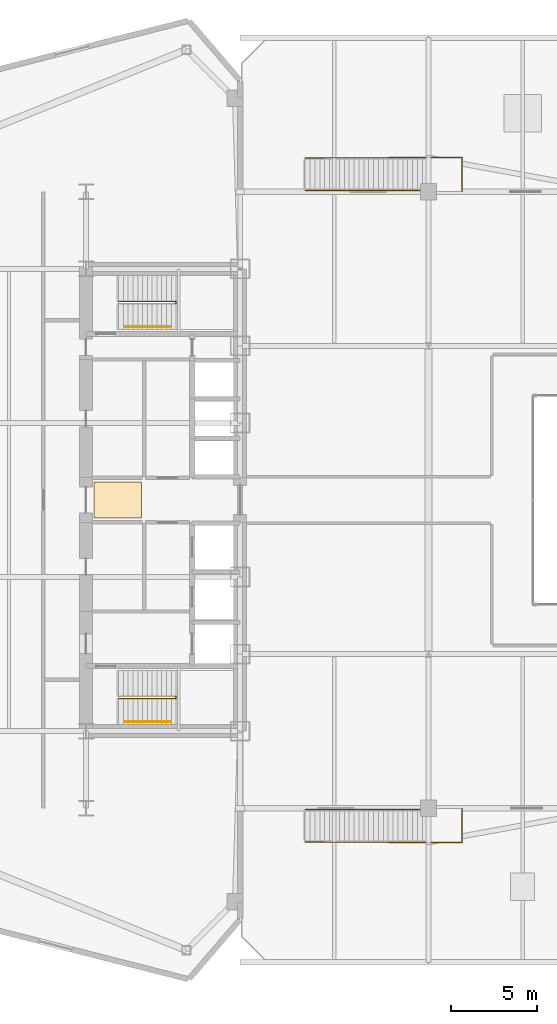
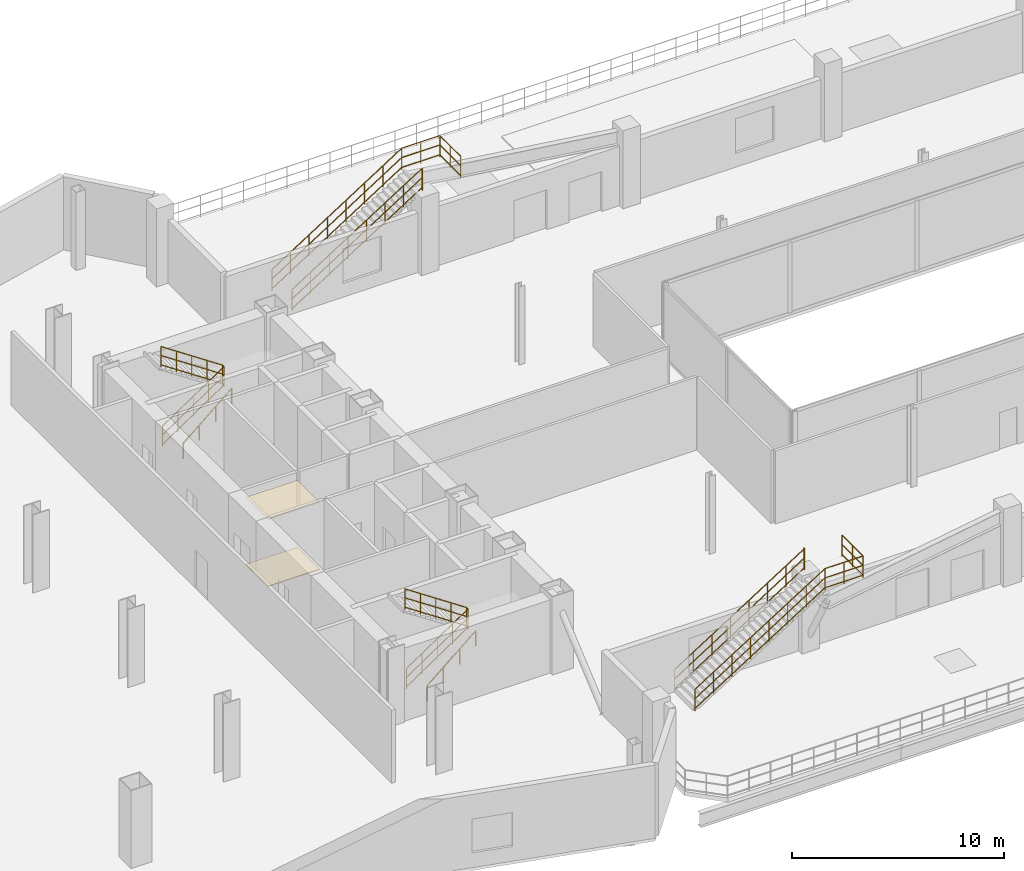
# One storey, part 24 of 27: 8 railings, 2 coverings.
"""IFC4 building model written with IfcOpenShell, lengths in metres."""

from ifc_helpers import new_model, si_unit, direction, frame, origin, origin_2d, place, context, subcontext, project, spatial, polyline, circle, outline, extrude, material, layer, layer_set, type_object, element, save


model = new_model("IFC4")

# Units and contexts
model_context = context("Model", 3, precision=1e-05, world=origin(), true_north=direction((0.0, 1.0)))
body_context = subcontext(model_context, "Body", "Model", "MODEL_VIEW")
ifc_project = project(units=[si_unit("LENGTHUNIT", "METRE"), si_unit("AREAUNIT", "SQUARE_METRE"), si_unit("VOLUMEUNIT", "CUBIC_METRE"), si_unit("PLANEANGLEUNIT", "RADIAN"), si_unit("MASSUNIT", "GRAM", prefix="KILO")], contexts=[model_context])

# Site, building, storey
site_placement = place(None, origin())
site = spatial("IfcSite", under=ifc_project, at=site_placement, CompositionType="ELEMENT")
building_placement = place(site_placement, origin())
building = spatial("IfcBuilding", under=site, at=building_placement, Name="Seokmaru Belvedere", CompositionType="ELEMENT")
storey_placement = place(building_placement, frame((0.0, 0.0, 9.89990234375)))
storey = spatial("IfcBuildingStorey", under=building, at=storey_placement, Name="L02", CompositionType="ELEMENT", Elevation=9.89990234375)

# Coverings
ifc_material_1 = material(Name="Honed Incheon Granite Stone", Category="masonry")
ifc_layer_1 = layer(ifc_material_1, 0.030029296875)
ifc_layer_set_1 = layer_set([ifc_layer_1], Name="Honed Incheon Granite Stone")
covering_type_1 = type_object("IfcCoveringType", Name="Honed Granite Lobby Floor Finish 30", PredefinedType="FLOORING", material=ifc_layer_set_1)
covering_1_placement = place(storey_placement, origin())
element("IfcCovering", 1, at=covering_1_placement, inside=storey, type_object=covering_type_1, Name="L02 W Foyer Floor Finish", PredefinedType="FLOORING", context=body_context, shape_type="SweptSolid", body=[
    extrude(outline(polyline([(-36.050048828125, -1.050048828125), (-33.25, -1.050048828125), (-33.25, 1.050048828125), (-36.050048828125, 1.050048828125), (-36.050048828125, -1.050048828125)])), origin(), (0.0, 0.0, 1.0), 0.030029296875),
])
ifc_material_2 = material(Name="Fire-Rated Gypsum Shaftwall")
ifc_layer_2 = layer(ifc_material_2, 0.02490234375)
ifc_layer_set_2 = layer_set([ifc_layer_2], Name="Fire-Rated Gypsum Shaftwall")
covering_type_2 = type_object("IfcCoveringType", Name="Perforated Acoustic Gypsum Suspended Ceiling 25", PredefinedType="CEILING", material=ifc_layer_set_2)
covering_2_placement = place(storey_placement, frame((0.0, 0.0, 3.8701171875)))
element("IfcCovering", 2, at=covering_2_placement, inside=storey, type_object=covering_type_2, Name="L02 W Lift Foyer Acoustic Ceiling", PredefinedType="CEILING", context=body_context, shape_type="SweptSolid", body=[
    extrude(outline(polyline([(-36.050048828125, -1.050048828125), (-33.25, -1.050048828125), (-33.25, 1.050048828125), (-36.050048828125, 1.050048828125), (-36.050048828125, -1.050048828125)])), origin(), (0.0, 0.0, 1.0), 0.02490234375),
])

# Railings
ifc_material_3 = material(Name="Stainless Steel 316", Category="steel")
railing_type_1 = type_object("IfcRailingType", Name="Podium Garden Terrace Guardrail 1250", PredefinedType="GUARDRAIL", material=ifc_material_3)
railing_1_placement = place(storey_placement, frame((-23.699951171875, 19.97998046875, 0.0)))
element("IfcRailing", 3, at=railing_1_placement, inside=storey, type_object=railing_type_1, Name="L02 Terrace Stair Outer Guardrail N3", PredefinedType="GUARDRAIL", context=body_context, shape_type="SweptSolid", body=[
    extrude(circle(Radius=0.02392578125, at=origin_2d()), frame((0.0, 0.0, 1.22607421875), z_axis=(0.844123489745, 0.00238518698, 0.536143492867), x_axis=(-0.002825626211, 0.99999600791, 0.0)), (0.0, 0.0, 1.0), 8.393310546875),
    extrude(circle(Radius=0.02392578125, at=origin_2d()), frame((0.0, 0.0, 0.1201171875), z_axis=(0.844123489745, 0.00238518698, 0.536143492867), x_axis=(-0.002825626211, 0.99999600791, 0.0)), (0.0, 0.0, 1.0), 8.393310546875),
    extrude(circle(Radius=0.02392578125, at=origin_2d()), frame((0.0, 0.0, 0.6875), z_axis=(0.844123489745, 0.00238518698, 0.536143492867), x_axis=(-0.002825626211, 0.99999600791, 0.0)), (0.0, 0.0, 1.0), 8.393310546875),
    extrude(circle(Radius=0.02392578125, at=origin_2d()), frame((7.0849609375, 0.02001953125, 5.72607421875), z_axis=(1.0, 0.0, 0.0), x_axis=(0.0, 1.0, 0.0)), (0.0, 0.0, 1.0), 2.080078125),
    extrude(circle(Radius=0.02392578125, at=origin_2d()), frame((7.0849609375, 0.02001953125, 4.6201171875), z_axis=(1.0, 0.0, 0.0), x_axis=(0.0, 1.0, 0.0)), (0.0, 0.0, 1.0), 2.080078125),
    extrude(circle(Radius=0.02392578125, at=origin_2d()), frame((7.0849609375, 0.02001953125, 5.1875), z_axis=(1.0, 0.0, 0.0), x_axis=(0.0, 1.0, 0.0)), (0.0, 0.0, 1.0), 2.080078125),
    extrude(circle(Radius=0.02392578125, at=origin_2d()), frame((9.1650390625, 0.02001953125, 5.72607421875), z_axis=(0.0, -1.0, 0.0), x_axis=(1.0, 0.0, 0.0)), (0.0, 0.0, 1.0), 1.97998046875),
    extrude(circle(Radius=0.02392578125, at=origin_2d()), frame((9.1650390625, 0.02001953125, 4.6201171875), z_axis=(0.0, -1.0, 0.0), x_axis=(1.0, 0.0, 0.0)), (0.0, 0.0, 1.0), 1.97998046875),
    extrude(circle(Radius=0.02392578125, at=origin_2d()), frame((9.1650390625, 0.02001953125, 5.1875), z_axis=(0.0, -1.0, 0.0), x_axis=(1.0, 0.0, 0.0)), (0.0, 0.0, 1.0), 1.97998046875),
    extrude(circle(Radius=0.02099609375, at=origin_2d()), origin(), (0.0, 0.0, 1.0), 1.201904296875),
    extrude(circle(Radius=0.02099609375, at=origin_2d()), frame((1.01220703125, 0.0029296875, 0.642822265625)), (0.0, 0.0, 1.0), 1.201904296875),
    extrude(circle(Radius=0.02099609375, at=origin_2d()), frame((2.024169921875, 0.005615234375, 1.28564453125)), (0.0, 0.0, 1.0), 1.201904296875),
    extrude(circle(Radius=0.02099609375, at=origin_2d()), frame((3.036376953125, 0.008544921875, 1.928466796875)), (0.0, 0.0, 1.0), 1.201904296875),
    extrude(circle(Radius=0.02099609375, at=origin_2d()), frame((4.048583984375, 0.011474609375, 2.571533203125)), (0.0, 0.0, 1.0), 1.201904296875),
    extrude(circle(Radius=0.02099609375, at=origin_2d()), frame((5.060791015625, 0.014404296875, 3.21435546875)), (0.0, 0.0, 1.0), 1.201904296875),
    extrude(circle(Radius=0.02099609375, at=origin_2d()), frame((6.07275390625, 0.01708984375, 3.857177734375)), (0.0, 0.0, 1.0), 1.201904296875),
    extrude(circle(Radius=0.02099609375, at=origin_2d()), frame((7.0849609375, 0.02001953125, 4.5)), (0.0, 0.0, 1.0), 1.201904296875),
    extrude(circle(Radius=0.02099609375, at=origin_2d()), frame((8.125, 0.02001953125, 4.5)), (0.0, 0.0, 1.0), 1.201904296875),
    extrude(circle(Radius=0.02099609375, at=origin_2d()), frame((9.1650390625, 0.02001953125, 4.5)), (0.0, 0.0, 1.0), 1.201904296875),
    extrude(circle(Radius=0.02099609375, at=origin_2d()), frame((9.1650390625, -0.969970703125, 4.5)), (0.0, 0.0, 1.0), 1.201904296875),
    extrude(circle(Radius=0.02099609375, at=origin_2d()), frame((9.1650390625, -1.9599609375, 4.5)), (0.0, 0.0, 1.0), 1.201904296875),
])
railing_2_placement = place(storey_placement, frame((-23.699951171875, 18.080078125, 0.0)))
element("IfcRailing", 4, at=railing_2_placement, inside=storey, type_object=railing_type_1, Name="L02 Terrace Stair Inner Guardrail N3", PredefinedType="GUARDRAIL", context=body_context, shape_type="SweptSolid", body=[
    extrude(circle(Radius=0.02392578125, at=origin_2d()), frame((0.0, 0.0, 1.22607421875), z_axis=(0.844125890914, 0.0, 0.536145017965), x_axis=(0.0, 1.0, 0.0)), (0.0, 0.0, 1.0), 8.393310546875),
    extrude(circle(Radius=0.02392578125, at=origin_2d()), frame((0.0, 0.0, 0.1201171875), z_axis=(0.844125890914, 0.0, 0.536145017965), x_axis=(0.0, 1.0, 0.0)), (0.0, 0.0, 1.0), 8.393310546875),
    extrude(circle(Radius=0.02392578125, at=origin_2d()), frame((0.0, 0.0, 0.6875), z_axis=(0.844125890914, 0.0, 0.536145017965), x_axis=(0.0, 1.0, 0.0)), (0.0, 0.0, 1.0), 8.393310546875),
    extrude(circle(Radius=0.02392578125, at=origin_2d()), frame((7.0849609375, 0.0, 5.72607421875), z_axis=(0.0, -1.0, 0.0), x_axis=(1.0, 0.0, 0.0)), (0.0, 0.0, 1.0), 0.06005859375),
    extrude(circle(Radius=0.02392578125, at=origin_2d()), frame((7.0849609375, 0.0, 4.6201171875), z_axis=(0.0, -1.0, 0.0), x_axis=(1.0, 0.0, 0.0)), (0.0, 0.0, 1.0), 0.06005859375),
    extrude(circle(Radius=0.02392578125, at=origin_2d()), frame((7.0849609375, 0.0, 5.1875), z_axis=(0.0, -1.0, 0.0), x_axis=(1.0, 0.0, 0.0)), (0.0, 0.0, 1.0), 0.06005859375),
    extrude(circle(Radius=0.02099609375, at=origin_2d()), origin(), (0.0, 0.0, 1.0), 1.201904296875),
    extrude(circle(Radius=0.02099609375, at=origin_2d()), frame((1.01220703125, 0.0, 0.642822265625)), (0.0, 0.0, 1.0), 1.201904296875),
    extrude(circle(Radius=0.02099609375, at=origin_2d()), frame((2.024169921875, 0.0, 1.28564453125)), (0.0, 0.0, 1.0), 1.201904296875),
    extrude(circle(Radius=0.02099609375, at=origin_2d()), frame((3.036376953125, 0.0, 1.928466796875)), (0.0, 0.0, 1.0), 1.201904296875),
    extrude(circle(Radius=0.02099609375, at=origin_2d()), frame((4.048583984375, 0.0, 2.571533203125)), (0.0, 0.0, 1.0), 1.201904296875),
    extrude(circle(Radius=0.02099609375, at=origin_2d()), frame((5.060791015625, 0.0, 3.21435546875)), (0.0, 0.0, 1.0), 1.201904296875),
    extrude(circle(Radius=0.02099609375, at=origin_2d()), frame((6.07275390625, 0.0, 3.857177734375)), (0.0, 0.0, 1.0), 1.201904296875),
    extrude(circle(Radius=0.02099609375, at=origin_2d()), frame((7.0849609375, 0.0, 4.5)), (0.0, 0.0, 1.0), 1.201904296875),
    extrude(circle(Radius=0.02099609375, at=origin_2d()), frame((7.0849609375, -0.06005859375, 4.5)), (0.0, 0.0, 1.0), 1.201904296875),
])
railing_3_placement = place(storey_placement, frame((-23.699951171875, -19.97998046875, 0.0)))
element("IfcRailing", 5, at=railing_3_placement, inside=storey, type_object=railing_type_1, Name="L02 Terrace Stair Outer Guardrail S2", PredefinedType="GUARDRAIL", context=body_context, shape_type="SweptSolid", body=[
    extrude(circle(Radius=0.02392578125, at=origin_2d()), frame((0.0, 0.0, 1.22607421875), z_axis=(0.844123489745, -0.00238518698, 0.536143492867), x_axis=(0.002825626211, 0.99999600791, 0.0)), (0.0, 0.0, 1.0), 8.393310546875),
    extrude(circle(Radius=0.02392578125, at=origin_2d()), frame((0.0, 0.0, 0.1201171875), z_axis=(0.844123489745, -0.00238518698, 0.536143492867), x_axis=(0.002825626211, 0.99999600791, 0.0)), (0.0, 0.0, 1.0), 8.393310546875),
    extrude(circle(Radius=0.02392578125, at=origin_2d()), frame((0.0, 0.0, 0.6875), z_axis=(0.844123489745, -0.00238518698, 0.536143492867), x_axis=(0.002825626211, 0.99999600791, 0.0)), (0.0, 0.0, 1.0), 8.393310546875),
    extrude(circle(Radius=0.02392578125, at=origin_2d()), frame((7.0849609375, -0.02001953125, 5.72607421875), z_axis=(1.0, 0.0, 0.0), x_axis=(0.0, 1.0, 0.0)), (0.0, 0.0, 1.0), 2.080078125),
    extrude(circle(Radius=0.02392578125, at=origin_2d()), frame((7.0849609375, -0.02001953125, 4.6201171875), z_axis=(1.0, 0.0, 0.0), x_axis=(0.0, 1.0, 0.0)), (0.0, 0.0, 1.0), 2.080078125),
    extrude(circle(Radius=0.02392578125, at=origin_2d()), frame((7.0849609375, -0.02001953125, 5.1875), z_axis=(1.0, 0.0, 0.0), x_axis=(0.0, 1.0, 0.0)), (0.0, 0.0, 1.0), 2.080078125),
    extrude(circle(Radius=0.02392578125, at=origin_2d()), frame((9.1650390625, -0.02001953125, 5.72607421875), z_axis=(0.0, 1.0, 0.0), x_axis=(-1.0, 0.0, 0.0)), (0.0, 0.0, 1.0), 1.97998046875),
    extrude(circle(Radius=0.02392578125, at=origin_2d()), frame((9.1650390625, -0.02001953125, 4.6201171875), z_axis=(0.0, 1.0, 0.0), x_axis=(-1.0, 0.0, 0.0)), (0.0, 0.0, 1.0), 1.97998046875),
    extrude(circle(Radius=0.02392578125, at=origin_2d()), frame((9.1650390625, -0.02001953125, 5.1875), z_axis=(0.0, 1.0, 0.0), x_axis=(-1.0, 0.0, 0.0)), (0.0, 0.0, 1.0), 1.97998046875),
    extrude(circle(Radius=0.02099609375, at=origin_2d()), origin(), (0.0, 0.0, 1.0), 1.201904296875),
    extrude(circle(Radius=0.02099609375, at=origin_2d()), frame((1.01220703125, -0.0029296875, 0.642822265625)), (0.0, 0.0, 1.0), 1.201904296875),
    extrude(circle(Radius=0.02099609375, at=origin_2d()), frame((2.024169921875, -0.005615234375, 1.28564453125)), (0.0, 0.0, 1.0), 1.201904296875),
    extrude(circle(Radius=0.02099609375, at=origin_2d()), frame((3.036376953125, -0.008544921875, 1.928466796875)), (0.0, 0.0, 1.0), 1.201904296875),
    extrude(circle(Radius=0.02099609375, at=origin_2d()), frame((4.048583984375, -0.011474609375, 2.571533203125)), (0.0, 0.0, 1.0), 1.201904296875),
    extrude(circle(Radius=0.02099609375, at=origin_2d()), frame((5.060791015625, -0.014404296875, 3.21435546875)), (0.0, 0.0, 1.0), 1.201904296875),
    extrude(circle(Radius=0.02099609375, at=origin_2d()), frame((6.07275390625, -0.01708984375, 3.857177734375)), (0.0, 0.0, 1.0), 1.201904296875),
    extrude(circle(Radius=0.02099609375, at=origin_2d()), frame((7.0849609375, -0.02001953125, 4.5)), (0.0, 0.0, 1.0), 1.201904296875),
    extrude(circle(Radius=0.02099609375, at=origin_2d()), frame((8.125, -0.02001953125, 4.5)), (0.0, 0.0, 1.0), 1.201904296875),
    extrude(circle(Radius=0.02099609375, at=origin_2d()), frame((9.1650390625, -0.02001953125, 4.5)), (0.0, 0.0, 1.0), 1.201904296875),
    extrude(circle(Radius=0.02099609375, at=origin_2d()), frame((9.1650390625, 0.969970703125, 4.5)), (0.0, 0.0, 1.0), 1.201904296875),
    extrude(circle(Radius=0.02099609375, at=origin_2d()), frame((9.1650390625, 1.9599609375, 4.5)), (0.0, 0.0, 1.0), 1.201904296875),
])
railing_4_placement = place(storey_placement, frame((-23.699951171875, -18.080078125, 0.0)))
element("IfcRailing", 6, at=railing_4_placement, inside=storey, type_object=railing_type_1, Name="L02 Terrace Stair Inner Guardrail S2", PredefinedType="GUARDRAIL", context=body_context, shape_type="SweptSolid", body=[
    extrude(circle(Radius=0.02392578125, at=origin_2d()), frame((0.0, 0.0, 1.22607421875), z_axis=(0.844125890914, 0.0, 0.536145017965), x_axis=(0.0, 1.0, 0.0)), (0.0, 0.0, 1.0), 8.393310546875),
    extrude(circle(Radius=0.02392578125, at=origin_2d()), frame((0.0, 0.0, 0.1201171875), z_axis=(0.844125890914, 0.0, 0.536145017965), x_axis=(0.0, 1.0, 0.0)), (0.0, 0.0, 1.0), 8.393310546875),
    extrude(circle(Radius=0.02392578125, at=origin_2d()), frame((0.0, 0.0, 0.6875), z_axis=(0.844125890914, 0.0, 0.536145017965), x_axis=(0.0, 1.0, 0.0)), (0.0, 0.0, 1.0), 8.393310546875),
    extrude(circle(Radius=0.02392578125, at=origin_2d()), frame((7.0849609375, 0.0, 5.72607421875), z_axis=(0.0, 1.0, 0.0), x_axis=(-1.0, 0.0, 0.0)), (0.0, 0.0, 1.0), 0.06005859375),
    extrude(circle(Radius=0.02392578125, at=origin_2d()), frame((7.0849609375, 0.0, 4.6201171875), z_axis=(0.0, 1.0, 0.0), x_axis=(-1.0, 0.0, 0.0)), (0.0, 0.0, 1.0), 0.06005859375),
    extrude(circle(Radius=0.02392578125, at=origin_2d()), frame((7.0849609375, 0.0, 5.1875), z_axis=(0.0, 1.0, 0.0), x_axis=(-1.0, 0.0, 0.0)), (0.0, 0.0, 1.0), 0.06005859375),
    extrude(circle(Radius=0.02099609375, at=origin_2d()), origin(), (0.0, 0.0, 1.0), 1.201904296875),
    extrude(circle(Radius=0.02099609375, at=origin_2d()), frame((1.01220703125, 0.0, 0.642822265625)), (0.0, 0.0, 1.0), 1.201904296875),
    extrude(circle(Radius=0.02099609375, at=origin_2d()), frame((2.024169921875, 0.0, 1.28564453125)), (0.0, 0.0, 1.0), 1.201904296875),
    extrude(circle(Radius=0.02099609375, at=origin_2d()), frame((3.036376953125, 0.0, 1.928466796875)), (0.0, 0.0, 1.0), 1.201904296875),
    extrude(circle(Radius=0.02099609375, at=origin_2d()), frame((4.048583984375, 0.0, 2.571533203125)), (0.0, 0.0, 1.0), 1.201904296875),
    extrude(circle(Radius=0.02099609375, at=origin_2d()), frame((5.060791015625, 0.0, 3.21435546875)), (0.0, 0.0, 1.0), 1.201904296875),
    extrude(circle(Radius=0.02099609375, at=origin_2d()), frame((6.07275390625, 0.0, 3.857177734375)), (0.0, 0.0, 1.0), 1.201904296875),
    extrude(circle(Radius=0.02099609375, at=origin_2d()), frame((7.0849609375, 0.0, 4.5)), (0.0, 0.0, 1.0), 1.201904296875),
    extrude(circle(Radius=0.02099609375, at=origin_2d()), frame((7.0849609375, 0.06005859375, 4.5)), (0.0, 0.0, 1.0), 1.201904296875),
])
railing_type_2 = type_object("IfcRailingType", Name="Stainless Steel Wall and Flight Handrail 900", PredefinedType="HANDRAIL", material=ifc_material_3)
for number, where, name in (
    (7, (-34.25, -12.949951171875, 0.0), "L02 Stair ST-W1 Wall Handrail"),
    (8, (-34.25, 10.110107421875, 0.0), "L02 Stair ST-W2 Wall Handrail"),
):
    element("IfcRailing", number, at=place(storey_placement, frame(where)), inside=storey, type_object=railing_type_2, Name=name, PredefinedType="HANDRAIL", context=body_context, shape_type="SweptSolid", body=[
        extrude(circle(Radius=0.02392578125, at=origin_2d()), frame((0.0, 0.0, 0.8759765625), z_axis=(0.763484625413, 0.0, 0.64582600347), x_axis=(0.0, 1.0, 0.0)), (0.0, 0.0, 1.0), 3.48388671875),
        extrude(circle(Radius=0.02099609375, at=origin_2d()), origin(), (0.0, 0.0, 1.0), 0.851806640625),
        extrude(circle(Radius=0.02099609375, at=origin_2d()), frame((0.88671875, 0.0, 0.75)), (0.0, 0.0, 1.0), 0.851806640625),
        extrude(circle(Radius=0.02099609375, at=origin_2d()), frame((1.773193359375, 0.0, 1.5)), (0.0, 0.0, 1.0), 0.851806640625),
        extrude(circle(Radius=0.02099609375, at=origin_2d()), frame((2.659912109375, 0.0, 2.25)), (0.0, 0.0, 1.0), 0.851806640625),
    ])
railing_type_3 = type_object("IfcRailingType", Name="Stair Well and Atrium Steel Guardrail 1200", PredefinedType="GUARDRAIL", material=ifc_material_3)
railing_5_placement = place(storey_placement, frame((-34.60009765625, -11.60009765625, 0.0)))
element("IfcRailing", 9, at=railing_5_placement, inside=storey, type_object=railing_type_3, Name="L02 Stair ST-W1 Inner Well Guardrail", PredefinedType="GUARDRAIL", context=body_context, shape_type="SweptSolid", body=[
    extrude(circle(Radius=0.02392578125, at=origin_2d()), frame((0.0, 0.0, 1.17578125), z_axis=(0.830915400975, 0.0, 0.556398774641), x_axis=(0.0, 1.0, 0.0)), (0.0, 0.0, 1.0), 4.0439453125),
    extrude(circle(Radius=0.02392578125, at=origin_2d()), frame((0.0, 0.0, 0.1201171875), z_axis=(0.830915400975, 0.0, 0.556398774641), x_axis=(0.0, 1.0, 0.0)), (0.0, 0.0, 1.0), 4.0439453125),
    extrude(circle(Radius=0.02392578125, at=origin_2d()), frame((0.0, 0.0, 0.659912109375), z_axis=(0.830915400975, 0.0, 0.556398774641), x_axis=(0.0, 1.0, 0.0)), (0.0, 0.0, 1.0), 4.0439453125),
    extrude(circle(Radius=0.02392578125, at=origin_2d()), frame((3.360107421875, 0.0, 3.42578125), z_axis=(0.0, 1.0, 0.0), x_axis=(-1.0, 0.0, 0.0)), (0.0, 0.0, 1.0), 0.14013671875),
    extrude(circle(Radius=0.02392578125, at=origin_2d()), frame((3.360107421875, 0.0, 2.3701171875), z_axis=(0.0, 1.0, 0.0), x_axis=(-1.0, 0.0, 0.0)), (0.0, 0.0, 1.0), 0.14013671875),
    extrude(circle(Radius=0.02392578125, at=origin_2d()), frame((3.360107421875, 0.0, 2.909912109375), z_axis=(0.0, 1.0, 0.0), x_axis=(-1.0, 0.0, 0.0)), (0.0, 0.0, 1.0), 0.14013671875),
    extrude(circle(Radius=0.02392578125, at=origin_2d()), frame((3.360107421875, 0.14013671875, 3.42578125), z_axis=(-0.830915400975, 0.0, 0.556398774641), x_axis=(0.0, -1.0, 0.0)), (0.0, 0.0, 1.0), 4.0439453125),
    extrude(circle(Radius=0.02392578125, at=origin_2d()), frame((3.360107421875, 0.14013671875, 2.3701171875), z_axis=(-0.830915400975, 0.0, 0.556398774641), x_axis=(0.0, -1.0, 0.0)), (0.0, 0.0, 1.0), 4.0439453125),
    extrude(circle(Radius=0.02392578125, at=origin_2d()), frame((3.360107421875, 0.14013671875, 2.909912109375), z_axis=(-0.830915400975, 0.0, 0.556398774641), x_axis=(0.0, -1.0, 0.0)), (0.0, 0.0, 1.0), 4.0439453125),
    extrude(circle(Radius=0.02099609375, at=origin_2d()), origin(), (0.0, 0.0, 1.0), 1.15185546875),
    extrude(circle(Radius=0.02099609375, at=origin_2d()), frame((0.840087890625, 0.0, 0.5625)), (0.0, 0.0, 1.0), 1.15185546875),
    extrude(circle(Radius=0.02099609375, at=origin_2d()), frame((1.68017578125, 0.0, 1.125)), (0.0, 0.0, 1.0), 1.15185546875),
    extrude(circle(Radius=0.02099609375, at=origin_2d()), frame((2.52001953125, 0.0, 1.6875)), (0.0, 0.0, 1.0), 1.15185546875),
    extrude(circle(Radius=0.02099609375, at=origin_2d()), frame((3.360107421875, 0.0, 2.25)), (0.0, 0.0, 1.0), 1.15185546875),
    extrude(circle(Radius=0.02099609375, at=origin_2d()), frame((3.360107421875, 0.14013671875, 2.25)), (0.0, 0.0, 1.0), 1.15185546875),
    extrude(circle(Radius=0.02099609375, at=origin_2d()), frame((2.52001953125, 0.14013671875, 2.8125)), (0.0, 0.0, 1.0), 1.15185546875),
    extrude(circle(Radius=0.02099609375, at=origin_2d()), frame((1.68017578125, 0.14013671875, 3.375)), (0.0, 0.0, 1.0), 1.15185546875),
    extrude(circle(Radius=0.02099609375, at=origin_2d()), frame((0.840087890625, 0.14013671875, 3.9375)), (0.0, 0.0, 1.0), 1.15185546875),
    extrude(circle(Radius=0.02099609375, at=origin_2d()), frame((0.0, 0.14013671875, 4.5)), (0.0, 0.0, 1.0), 1.15185546875),
])
railing_6_placement = place(storey_placement, frame((-34.60009765625, 11.4599609375, 0.0)))
element("IfcRailing", 10, at=railing_6_placement, inside=storey, type_object=railing_type_3, Name="L02 Stair ST-W2 Inner Well Guardrail", PredefinedType="GUARDRAIL", context=body_context, shape_type="SweptSolid", body=[
    extrude(circle(Radius=0.02392578125, at=origin_2d()), frame((0.0, 0.0, 1.17578125), z_axis=(0.830915400975, 0.0, 0.556398774641), x_axis=(0.0, 1.0, 0.0)), (0.0, 0.0, 1.0), 4.0439453125),
    extrude(circle(Radius=0.02392578125, at=origin_2d()), frame((0.0, 0.0, 0.1201171875), z_axis=(0.830915400975, 0.0, 0.556398774641), x_axis=(0.0, 1.0, 0.0)), (0.0, 0.0, 1.0), 4.0439453125),
    extrude(circle(Radius=0.02392578125, at=origin_2d()), frame((0.0, 0.0, 0.659912109375), z_axis=(0.830915400975, 0.0, 0.556398774641), x_axis=(0.0, 1.0, 0.0)), (0.0, 0.0, 1.0), 4.0439453125),
    extrude(circle(Radius=0.02392578125, at=origin_2d()), frame((3.360107421875, 0.0, 3.42578125), z_axis=(0.0, 1.0, 0.0), x_axis=(-1.0, 0.0, 0.0)), (0.0, 0.0, 1.0), 0.14013671875),
    extrude(circle(Radius=0.02392578125, at=origin_2d()), frame((3.360107421875, 0.0, 2.3701171875), z_axis=(0.0, 1.0, 0.0), x_axis=(-1.0, 0.0, 0.0)), (0.0, 0.0, 1.0), 0.14013671875),
    extrude(circle(Radius=0.02392578125, at=origin_2d()), frame((3.360107421875, 0.0, 2.909912109375), z_axis=(0.0, 1.0, 0.0), x_axis=(-1.0, 0.0, 0.0)), (0.0, 0.0, 1.0), 0.14013671875),
    extrude(circle(Radius=0.02392578125, at=origin_2d()), frame((3.360107421875, 0.14013671875, 3.42578125), z_axis=(-0.830915400975, 0.0, 0.556398774641), x_axis=(0.0, -1.0, 0.0)), (0.0, 0.0, 1.0), 4.0439453125),
    extrude(circle(Radius=0.02392578125, at=origin_2d()), frame((3.360107421875, 0.14013671875, 2.3701171875), z_axis=(-0.830915400975, 0.0, 0.556398774641), x_axis=(0.0, -1.0, 0.0)), (0.0, 0.0, 1.0), 4.0439453125),
    extrude(circle(Radius=0.02392578125, at=origin_2d()), frame((3.360107421875, 0.14013671875, 2.909912109375), z_axis=(-0.830915400975, 0.0, 0.556398774641), x_axis=(0.0, -1.0, 0.0)), (0.0, 0.0, 1.0), 4.0439453125),
    extrude(circle(Radius=0.02099609375, at=origin_2d()), origin(), (0.0, 0.0, 1.0), 1.15185546875),
    extrude(circle(Radius=0.02099609375, at=origin_2d()), frame((0.840087890625, 0.0, 0.5625)), (0.0, 0.0, 1.0), 1.15185546875),
    extrude(circle(Radius=0.02099609375, at=origin_2d()), frame((1.68017578125, 0.0, 1.125)), (0.0, 0.0, 1.0), 1.15185546875),
    extrude(circle(Radius=0.02099609375, at=origin_2d()), frame((2.52001953125, 0.0, 1.6875)), (0.0, 0.0, 1.0), 1.15185546875),
    extrude(circle(Radius=0.02099609375, at=origin_2d()), frame((3.360107421875, 0.0, 2.25)), (0.0, 0.0, 1.0), 1.15185546875),
    extrude(circle(Radius=0.02099609375, at=origin_2d()), frame((3.360107421875, 0.14013671875, 2.25)), (0.0, 0.0, 1.0), 1.15185546875),
    extrude(circle(Radius=0.02099609375, at=origin_2d()), frame((2.52001953125, 0.14013671875, 2.8125)), (0.0, 0.0, 1.0), 1.15185546875),
    extrude(circle(Radius=0.02099609375, at=origin_2d()), frame((1.68017578125, 0.14013671875, 3.375)), (0.0, 0.0, 1.0), 1.15185546875),
    extrude(circle(Radius=0.02099609375, at=origin_2d()), frame((0.840087890625, 0.14013671875, 3.9375)), (0.0, 0.0, 1.0), 1.15185546875),
    extrude(circle(Radius=0.02099609375, at=origin_2d()), frame((0.0, 0.14013671875, 4.5)), (0.0, 0.0, 1.0), 1.15185546875),
])

save(model, "model.ifc")
